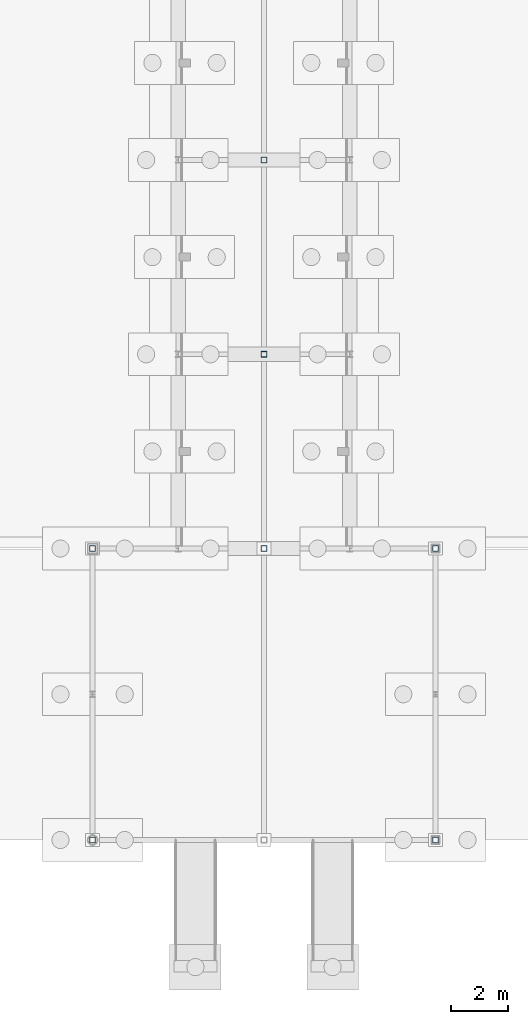
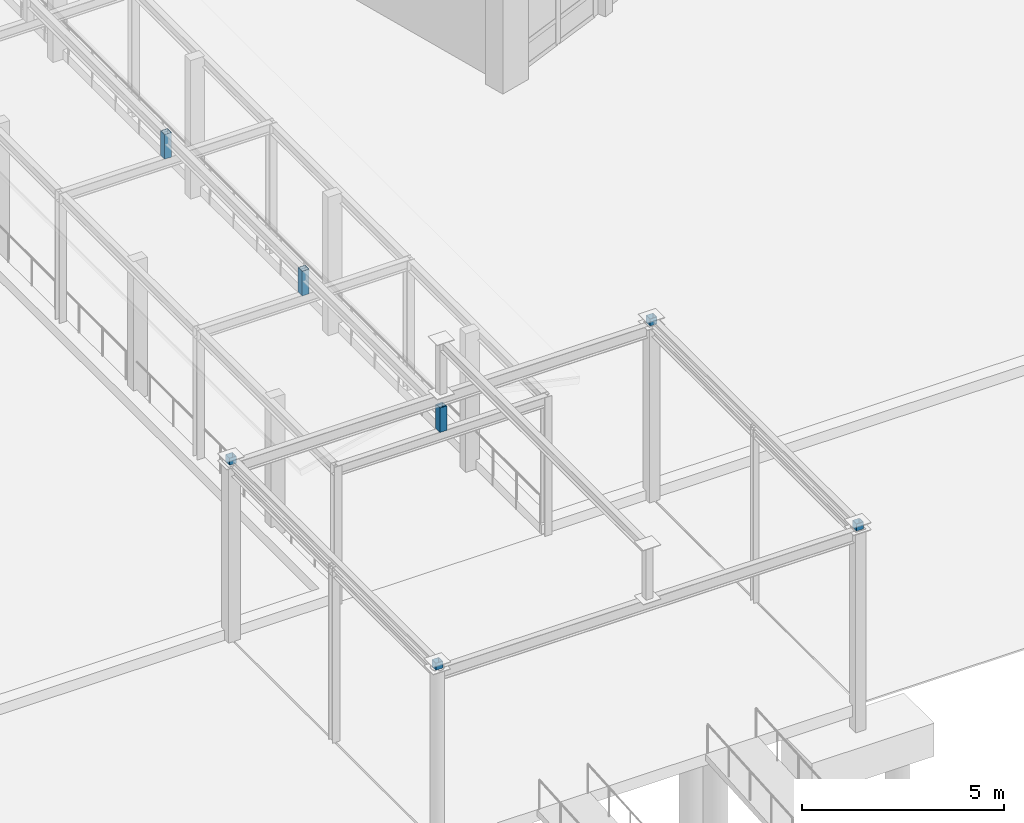
# One storey, part 83 of 137: 7 members.
"""IFC4 building model written with IfcOpenShell, lengths in metres."""

import ifcopenshell
import ifcopenshell.guid

model = None  # the IFC model being written
_history = None  # IfcOwnerHistory: only IFC2X3 demands one
_inside = {}  # id of a spatial element -> (the spatial element, [elements in it])
_under = {}  # id of a project, library or spatial element -> (it, [spatial elements below it])
_declared = {}  # id of a project -> (the project, [libraries it declares])
_typed = {}  # id of a type object -> (the type object, [elements of that type])
_made_of = {}  # id of a material, layer set ... -> (it, [elements and type objects made of it])


def new_model(schema):
    """Start an empty IFC model of exactly this schema.

    Asked for "IFC4X3", IfcOpenShell would pick the latest addendum, in which some entities
    have other attributes; the version numbers below select the first issue.
    IFC2X3 requires an IfcOwnerHistory on every rooted entity: one is made here for all.
    """
    global model, _history
    if schema == "IFC4X3":
        model = ifcopenshell.file(schema_version=(4, 3, 0, 0))
    else:
        model = ifcopenshell.file(schema=schema)
    _inside.clear()
    _under.clear()
    _declared.clear()
    _typed.clear()
    _made_of.clear()
    _history = None
    if model.schema == "IFC2X3":
        org = make("IfcOrganization", Name="unknown")
        user = make(
            "IfcPersonAndOrganization",
            ThePerson=make("IfcPerson", FamilyName="unknown"),
            TheOrganization=org,
        )
        app = make(
            "IfcApplication",
            ApplicationDeveloper=org,
            Version="unknown",
            ApplicationFullName="unknown",
            ApplicationIdentifier="unknown",
        )
        _history = make(
            "IfcOwnerHistory",
            OwningUser=user,
            OwningApplication=app,
            ChangeAction="ADDED",
            CreationDate=0,
        )
    return model


def make(cls, **values):
    """One entity of the class cls with the attributes given. An attribute that is None is left unset."""
    return model.create_entity(
        cls, **{name: value for name, value in values.items() if value is not None}
    )


def rooted(cls, **values):
    """An entity with a GlobalId (a new one), such as an element, a storey or a relation."""
    return make(cls, GlobalId=ifcopenshell.guid.new(), OwnerHistory=_history, **values)


def si_unit(unit_type, name, prefix=None):
    """IfcSIUnit, for example si_unit("LENGTHUNIT", "METRE", prefix="MILLI")."""
    return make("IfcSIUnit", UnitType=unit_type, Prefix=prefix, Name=name)


def assignment(units):
    """IfcUnitAssignment: the units of a project."""
    return None if units is None else make("IfcUnitAssignment", Units=units)


def point(xyz):
    """IfcCartesianPoint."""
    return None if xyz is None else make("IfcCartesianPoint", Coordinates=xyz)


def direction(xyz):
    """IfcDirection."""
    return None if xyz is None else make("IfcDirection", DirectionRatios=xyz)


def frame(location, z_axis=None, x_axis=None):
    """IfcAxis2Placement3D, a coordinate frame: its origin and axes. An axis left out is left unset."""
    return make(
        "IfcAxis2Placement3D",
        Location=point(location),
        Axis=direction(z_axis),
        RefDirection=direction(x_axis),
    )


def frame_2d(location, x_axis=None):
    """IfcAxis2Placement2D, a coordinate frame in the plane: its origin and x axis."""
    return make(
        "IfcAxis2Placement2D", Location=point(location), RefDirection=direction(x_axis)
    )


def origin():
    """The frame at (0, 0, 0) with its axes left unset."""
    return frame((0.0, 0.0, 0.0))


def origin_2d():
    """The frame at (0, 0) in the plane with its x axis left unset."""
    return frame_2d((0.0, 0.0))


def place(relative_to, where):
    """IfcLocalPlacement: puts the frame where relative to a parent placement (None: the world)."""
    return make(
        "IfcLocalPlacement", PlacementRelTo=relative_to, RelativePlacement=where
    )


def context(
    kind, dimensions, precision=None, world=None, true_north=None, identifier=None
):
    """IfcGeometricRepresentationContext, for example the 3D "Model" context."""
    return make(
        "IfcGeometricRepresentationContext",
        ContextIdentifier=identifier,
        ContextType=kind,
        CoordinateSpaceDimension=dimensions,
        Precision=precision,
        WorldCoordinateSystem=world,
        TrueNorth=true_north,
    )


def subcontext(parent, identifier, kind, view, scale=None):
    """IfcGeometricRepresentationSubContext, for example "Body" below "Model"."""
    return make(
        "IfcGeometricRepresentationSubContext",
        ContextIdentifier=identifier,
        ContextType=kind,
        ParentContext=parent,
        TargetScale=scale,
        TargetView=view,
    )


def project(units=None, contexts=None):
    """IfcProject with its units and contexts."""
    return rooted(
        "IfcProject",
        Name="project",
        RepresentationContexts=contexts,
        UnitsInContext=assignment(units),
    )


def spatial(cls, under=None, at=None, **own):
    """A site, building, storey or space (cls), placed at a placement, below another one or the project."""
    s = rooted(cls, ObjectPlacement=at, **own)
    if under is not None:
        _under.setdefault(under.id(), (under, []))[1].append(s)
    return s


def profile(cls, at=None, kind="AREA", **sizes):
    """A parametric profile (cls). Its sizes go by their IFC names, for example OverallWidth=200.0."""
    return make(cls, ProfileType=kind, Position=at, **sizes)


def hollow_rectangle(**sizes):
    """IfcRectangleHollowProfileDef."""
    return profile("IfcRectangleHollowProfileDef", **sizes)


def extrude(swept, where, along, depth):
    """IfcExtrudedAreaSolid: the profile swept, set in the frame where, extruded along a direction by depth."""
    return make(
        "IfcExtrudedAreaSolid",
        SweptArea=swept,
        Position=where,
        ExtrudedDirection=direction(along),
        Depth=depth,
    )


def shape(context_of_items, identifier, shape_type, items):
    """IfcShapeRepresentation: the items that make up one representation, for example the "Body"."""
    return make(
        "IfcShapeRepresentation",
        ContextOfItems=context_of_items,
        RepresentationIdentifier=identifier,
        RepresentationType=shape_type,
        Items=items,
    )


def material(Name=None, Category=None):
    """IfcMaterial."""
    return make("IfcMaterial", Name=Name, Category=Category)


def material_profile(
    of_material, cross_section, Name=None, Category=None, Priority=None
):
    """IfcMaterialProfile: a cross section and its material."""
    return make(
        "IfcMaterialProfile",
        Name=Name,
        Material=of_material,
        Profile=cross_section,
        Priority=Priority,
        Category=Category,
    )


def profile_set(profiles, Name=None, composite=None):
    """IfcMaterialProfileSet."""
    return make(
        "IfcMaterialProfileSet",
        Name=Name,
        MaterialProfiles=profiles,
        CompositeProfile=composite,
    )


def made_of(thing, what):
    """Note that an element or type object is made of a material, layer set ...; save() writes the relation."""
    if what is not None:
        _made_of.setdefault(what.id(), (what, []))[1].append(thing)
    return thing


def type_object(cls, material=None, **own):
    """A type object (cls), such as IfcWallType, which elements share."""
    return made_of(rooted(cls, **own), material)


def element(
    cls,
    number,
    at=None,
    inside=None,
    cuts=None,
    type_object=None,
    material=None,
    context=None,
    identifier="Body",
    shape_type=None,
    held_by="IfcProductDefinitionShape",
    body=None,
    shapes=None,
    **own,
):
    """One element of the class cls, such as IfcWall. Its Tag is "e" and its number.

    at: its placement. inside: the storey or other place that contains it. cuts: it is an
    opening in that element (IfcRelVoidsElement). A single representation is given by context,
    identifier, shape_type and body (its items); several are given by shapes. held_by: the class
    of the entity that holds the representations. save() writes the other relations.
    """
    e = rooted(cls, Tag="e%d" % number, ObjectPlacement=at, **own)
    if body is not None:
        shapes = [shape(context, identifier, shape_type, body)]
    if shapes is not None:
        e.Representation = make(held_by, Representations=shapes)
    if inside is not None:
        _inside.setdefault(inside.id(), (inside, []))[1].append(e)
    if cuts is not None:
        rooted(
            "IfcRelVoidsElement", RelatingBuildingElement=cuts, RelatedOpeningElement=e
        )
    if type_object is not None:
        _typed.setdefault(type_object.id(), (type_object, []))[1].append(e)
    return made_of(e, material)


def aggregate(whole, parts):
    """IfcRelAggregates: a whole, such as a stair, and the parts it consists of."""
    return rooted("IfcRelAggregates", RelatingObject=whole, RelatedObjects=parts)


def save(model, path):
    """Write the relations noted so far, then the file.

    IfcRelAggregates (storeys below a building ...), IfcRelContainedInSpatialStructure (elements
    in a storey), IfcRelDefinesByType, IfcRelAssociatesMaterial and IfcRelDeclares: one each for
    every whole, place, type object, material and project.
    """
    for whole, parts in _under.values():
        aggregate(whole, parts)
    for where, things in _inside.values():
        rooted(
            "IfcRelContainedInSpatialStructure",
            RelatedElements=things,
            RelatingStructure=where,
        )
    for kind, things in _typed.values():
        rooted("IfcRelDefinesByType", RelatedObjects=things, RelatingType=kind)
    for what, things in _made_of.values():
        rooted("IfcRelAssociatesMaterial", RelatedObjects=things, RelatingMaterial=what)
    for by, libraries in _declared.values():
        rooted("IfcRelDeclares", RelatingContext=by, RelatedDefinitions=libraries)
    model.write(path)


model = new_model("IFC4")

# Units and contexts
model_context = context("Model", 3, precision=1e-05, world=origin(), true_north=direction((0.0, 1.0)))
body_context = subcontext(model_context, "Body", "Model", "MODEL_VIEW")
ifc_project = project(units=[si_unit("LENGTHUNIT", "METRE"), si_unit("AREAUNIT", "SQUARE_METRE"), si_unit("VOLUMEUNIT", "CUBIC_METRE"), si_unit("PLANEANGLEUNIT", "RADIAN"), si_unit("MASSUNIT", "GRAM", prefix="KILO")], contexts=[model_context])

# Site, building, storey
site_placement = place(None, origin())
site = spatial("IfcSite", under=ifc_project, at=site_placement, CompositionType="ELEMENT")
building_placement = place(site_placement, origin())
building = spatial("IfcBuilding", under=site, at=building_placement, Name="Vondelvale Polytechnic", CompositionType="ELEMENT")
storey_placement = place(building_placement, origin())
storey = spatial("IfcBuildingStorey", under=building, at=storey_placement, Name="L00", CompositionType="ELEMENT", Elevation=0.0)

# Members
ifc_material = material(Name="Steel C350L0 (fy = 350 MPa)", Category="steel")
ifc_material_profile = material_profile(ifc_material, hollow_rectangle(XDim=0.199951171875, YDim=0.199951171875, WallThickness=0.009033203125, at=origin_2d()), Name="200x200x9.0SHS")
ifc_profile_set = profile_set([ifc_material_profile], Name="Steel C350L0 (fy = 350 MPa)")
member_type = type_object("IfcMemberType", Name="ROOF TRUSS POST 200SHS", PredefinedType="POST", material=ifc_profile_set)
for number, where, z_axis, x_axis, name in (
    (1, (96.0, 0.0, 5.2900390625), (0.0, 0.0, 1.0), (1.0, 0.0, 0.0), "Entrance canopy eave saddle post"),
    (2, (108.0, 0.0, 5.2900390625), (0.0, 0.0, 1.0), (1.0, 0.0, 0.0), "Entrance canopy eave saddle post"),
    (3, (96.0, 10.199951171875, 5.2900390625), (0.0, 0.0, 1.0), (1.0, 0.0, 0.0), "Entrance canopy eave saddle post"),
    (4, (108.0, 10.199951171875, 5.2900390625), (0.0, 0.0, 1.0), (1.0, 0.0, 0.0), "Entrance canopy eave saddle post"),
):
    element("IfcMember", number, at=place(storey_placement, frame(where, z_axis=z_axis, x_axis=x_axis)), inside=storey, type_object=member_type, Name=name, PredefinedType="POST", context=body_context, shape_type="SweptSolid", body=[
        extrude(hollow_rectangle(XDim=0.199951171875, YDim=0.199951171875, WallThickness=0.009033203125, at=origin_2d()), origin(), (0.0, 0.0, 1.0), 0.2119140625),
    ])
for number, where, z_axis, x_axis, name in (
    (5, (102.0, 10.199951171875, 4.179931640625), (0.0, 0.0, 1.0), (1.0, 0.0, 0.0), "Footbridge canopy ridge post"),
    (6, (102.0, 17.0, 4.179931640625), (0.0, 0.0, 1.0), (1.0, 0.0, 0.0), "Footbridge canopy ridge post"),
    (7, (102.0, 23.800048828125, 4.179931640625), (0.0, 0.0, 1.0), (1.0, 0.0, 0.0), "Footbridge canopy ridge post"),
):
    element("IfcMember", number, at=place(storey_placement, frame(where, z_axis=z_axis, x_axis=x_axis)), inside=storey, type_object=member_type, Name=name, PredefinedType="POST", context=body_context, shape_type="SweptSolid", body=[
        extrude(hollow_rectangle(XDim=0.199951171875, YDim=0.199951171875, WallThickness=0.009033203125, at=origin_2d()), origin(), (0.0, 0.0, 1.0), 0.739990234375),
    ])

save(model, "model.ifc")
